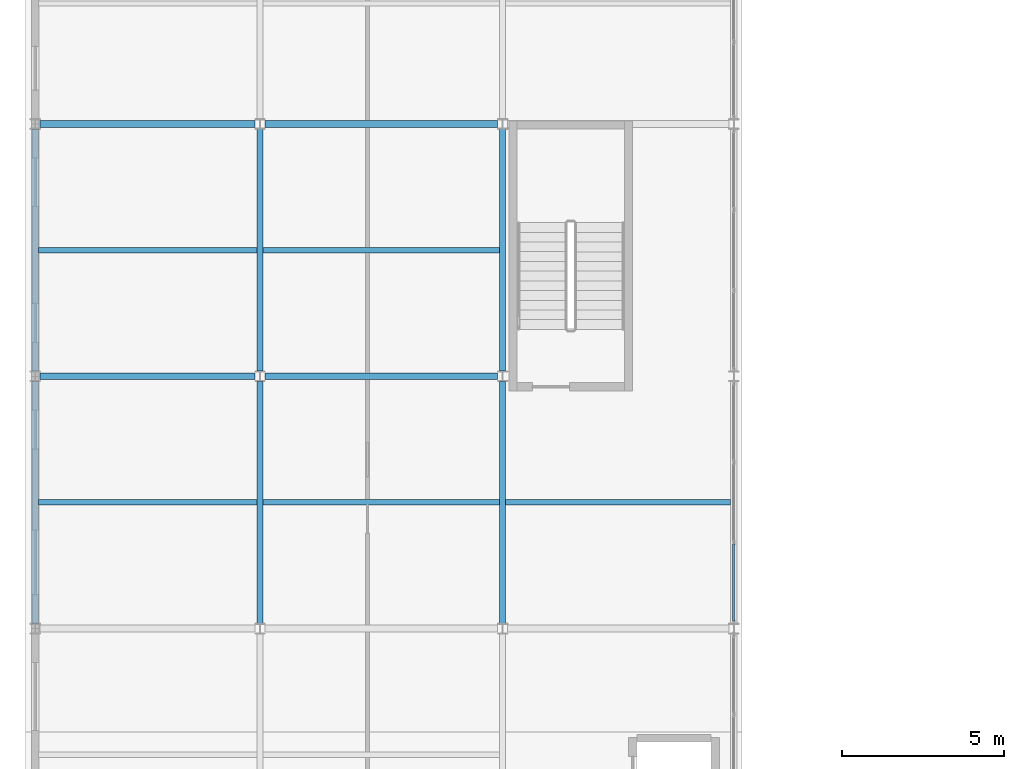
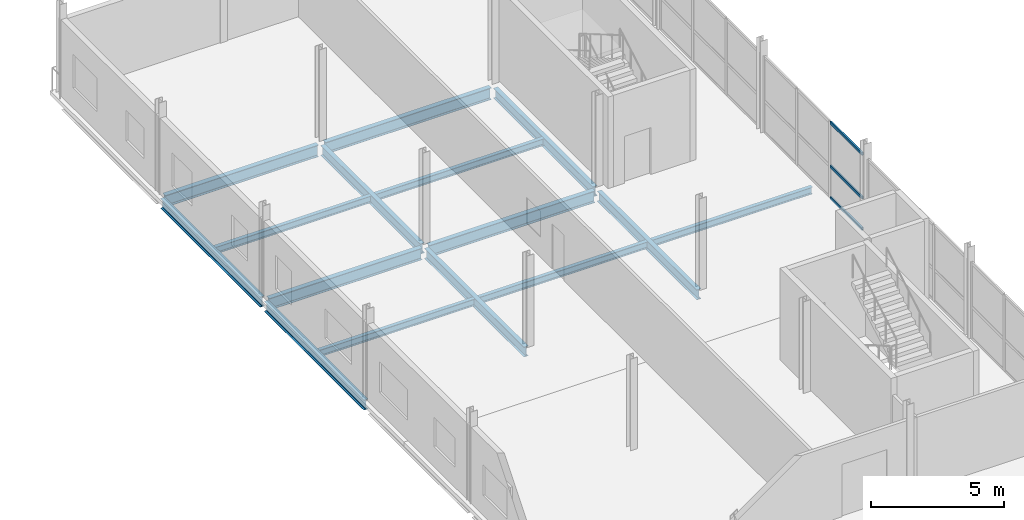
# One storey, part 9 of 65: 15 beams, 3 members, 1 element without a shape of its own.
"""IFC4 building model written with IfcOpenShell, lengths in metres."""

from ifc_helpers import new_model, si_unit, direction, frame, origin, origin_2d, place, context, subcontext, project, spatial, hollow_rectangle, i_section, extrude, material, layer, layer_set, material_profile, profile_set, type_object, element, aggregate, save


model = new_model("IFC4")

# Units and contexts
model_context = context("Model", 3, precision=1e-05, world=origin(), true_north=direction((0.0, 1.0)))
body_context = subcontext(model_context, "Body", "Model", "MODEL_VIEW")
ifc_project = project(units=[si_unit("LENGTHUNIT", "METRE"), si_unit("AREAUNIT", "SQUARE_METRE"), si_unit("VOLUMEUNIT", "CUBIC_METRE"), si_unit("PLANEANGLEUNIT", "RADIAN"), si_unit("MASSUNIT", "GRAM", prefix="KILO")], contexts=[model_context])

# Site, building, storey
site_placement = place(None, origin())
site = spatial("IfcSite", under=ifc_project, at=site_placement, CompositionType="ELEMENT")
building_placement = place(site_placement, origin())
building = spatial("IfcBuilding", under=site, at=building_placement, Name="Quillay Park Conservatory", CompositionType="ELEMENT")
storey_placement = place(building_placement, frame((0.0, 0.0, 14.10009765625)))
storey = spatial("IfcBuildingStorey", under=building, at=storey_placement, Name="L03", CompositionType="ELEMENT", Elevation=14.10009765625)

# Beams
ifc_material_1 = material(Name="Steel ASTM A992 Grade 50", Category="steel")
ifc_material_profile_1 = material_profile(ifc_material_1, i_section(OverallWidth=0.166015625, OverallDepth=0.31298828125, WebThickness=0.006591796875, FlangeThickness=0.01123046875, FilletRadius=0.010009765625, at=origin_2d()), Name="W310x45")
ifc_profile_set_1 = profile_set([ifc_material_profile_1], Name="Steel ASTM A992 Grade 50")
beam_type_1 = type_object("IfcBeamType", Name="COMPOSITE FLOOR JOIST W310 X45", PredefinedType="JOIST", material=ifc_profile_set_1)
beam_1_placement = place(storey_placement, frame((0.64599609375, 35.10009765625, -0.341552734375), z_axis=(1.0, 0.0, 0.0), x_axis=(0.0, 1.0, 0.0)))
element("IfcBeam", 1, at=beam_1_placement, inside=storey, type_object=beam_type_1, Name="L03 beam BM-V3J-1463", PredefinedType="JOIST", context=body_context, shape_type="SweptSolid", body=[
    extrude(i_section(OverallWidth=0.166015625, OverallDepth=0.31298828125, WebThickness=0.006591796875, FlangeThickness=0.01123046875, FilletRadius=0.010009765625, at=origin_2d()), origin(), (0.0, 0.0, 1.0), 6.758056640625),
])
beam_2_placement = place(storey_placement, frame((7.595947265625, 35.10009765625, -0.341552734375), z_axis=(1.0, 0.0, 0.0), x_axis=(0.0, 1.0, 0.0)))
element("IfcBeam", 2, at=beam_2_placement, inside=storey, type_object=beam_type_1, Name="L03 beam BM-V3J-1464", PredefinedType="JOIST", context=body_context, shape_type="SweptSolid", body=[
    extrude(i_section(OverallWidth=0.166015625, OverallDepth=0.31298828125, WebThickness=0.006591796875, FlangeThickness=0.01123046875, FilletRadius=0.010009765625, at=origin_2d()), origin(), (0.0, 0.0, 1.0), 7.30810546875),
])
beam_3_placement = place(storey_placement, frame((15.095947265625, 35.10009765625, -0.341552734375), z_axis=(1.0, 0.0, 0.0), x_axis=(0.0, 1.0, 0.0)))
element("IfcBeam", 3, at=beam_3_placement, inside=storey, type_object=beam_type_1, Name="L03 beam BM-V3J-1465", PredefinedType="JOIST", context=body_context, shape_type="SweptSolid", body=[
    extrude(i_section(OverallWidth=0.166015625, OverallDepth=0.31298828125, WebThickness=0.006591796875, FlangeThickness=0.01123046875, FilletRadius=0.010009765625, at=origin_2d()), origin(), (0.0, 0.0, 1.0), 6.9580078125),
])
beam_4_placement = place(storey_placement, frame((0.64599609375, 42.89990234375, -0.341552734375), z_axis=(1.0, 0.0, 0.0), x_axis=(0.0, 1.0, 0.0)))
element("IfcBeam", 4, at=beam_4_placement, inside=storey, type_object=beam_type_1, Name="L03 beam BM-V3J-1466", PredefinedType="JOIST", context=body_context, shape_type="SweptSolid", body=[
    extrude(i_section(OverallWidth=0.166015625, OverallDepth=0.31298828125, WebThickness=0.006591796875, FlangeThickness=0.01123046875, FilletRadius=0.010009765625, at=origin_2d()), origin(), (0.0, 0.0, 1.0), 6.758056640625),
])
beam_5_placement = place(storey_placement, frame((7.595947265625, 42.89990234375, -0.341552734375), z_axis=(1.0, 0.0, 0.0), x_axis=(0.0, 1.0, 0.0)))
element("IfcBeam", 5, at=beam_5_placement, inside=storey, type_object=beam_type_1, Name="L03 beam BM-V3J-1467", PredefinedType="JOIST", context=body_context, shape_type="SweptSolid", body=[
    extrude(i_section(OverallWidth=0.166015625, OverallDepth=0.31298828125, WebThickness=0.006591796875, FlangeThickness=0.01123046875, FilletRadius=0.010009765625, at=origin_2d()), origin(), (0.0, 0.0, 1.0), 7.30810546875),
])

# Curtain wall, members
ifc_material_2 = material(Name="Thermally Broken Anodised Aluminium 6063-T6", Category="aluminium")
ifc_layer = layer(ifc_material_2, 0.1650390625)
ifc_layer_set = layer_set([ifc_layer], Name="UNITISED CURTAIN WALL PODIUM (Thermally Broken Anodised Aluminium 6063-T6)")
curtain_wall_type = type_object("IfcCurtainWallType", Name="UNITISED CURTAIN WALL PODIUM", PredefinedType="USERDEFINED", material=ifc_layer_set)
curtain_wall_placement = place(storey_placement, origin())
curtain_wall = element("IfcCurtainWall", 6, at=curtain_wall_placement, inside=storey, type_object=curtain_wall_type, Name="L03 Unitised Curtain Wall 212", ObjectType="UNITISED CURTAIN WALL", PredefinedType="USERDEFINED")
ifc_material_3 = material(Name="Thermally Broken Anodised Aluminium 6063-T6", Category="aluminium")
ifc_material_profile_2 = material_profile(ifc_material_3, hollow_rectangle(XDim=0.070068359375, YDim=0.1298828125, WallThickness=0.003173828125, at=origin_2d()), Name="AL70x130x3.2")
ifc_profile_set_2 = profile_set([ifc_material_profile_2], Name="Thermally Broken Anodised Aluminium 6063-T6")
member_type = type_object("IfcMemberType", Name="CURTAIN WALL TRANSOM 70 X130", PredefinedType="USERDEFINED", material=ifc_profile_set_2)
member_1_placement = place(storey_placement, frame((22.14990234375, 33.818359375, 0.034912109375), z_axis=(0.0, -1.0, 0.0), x_axis=(1.0, 0.0, 0.0)))
member_1 = element("IfcMember", 7, at=member_1_placement, type_object=member_type, Name="CW-P1 transom 3.1", ObjectType="TRANSOM", PredefinedType="USERDEFINED", context=body_context, shape_type="SweptSolid", body=[
    extrude(hollow_rectangle(XDim=0.070068359375, YDim=0.1298828125, WallThickness=0.003173828125, at=origin_2d()), origin(), (0.0, 0.0, 1.0), 2.388427734375),
])
member_2_placement = place(storey_placement, frame((22.14990234375, 33.818359375, 1.475830078125), z_axis=(0.0, -1.0, 0.0), x_axis=(1.0, 0.0, 0.0)))
member_2 = element("IfcMember", 8, at=member_2_placement, type_object=member_type, Name="CW-P1 transom 3.2", ObjectType="TRANSOM", PredefinedType="USERDEFINED", context=body_context, shape_type="SweptSolid", body=[
    extrude(hollow_rectangle(XDim=0.070068359375, YDim=0.1298828125, WallThickness=0.003173828125, at=origin_2d()), origin(), (0.0, 0.0, 1.0), 2.388427734375),
])
member_3_placement = place(storey_placement, frame((22.14990234375, 33.818359375, 3.47900390625), z_axis=(0.0, -1.0, 0.0), x_axis=(1.0, 0.0, 0.0)))
member_3 = element("IfcMember", 9, at=member_3_placement, type_object=member_type, Name="CW-P1 transom 3.3", ObjectType="TRANSOM", PredefinedType="USERDEFINED", context=body_context, shape_type="SweptSolid", body=[
    extrude(hollow_rectangle(XDim=0.070068359375, YDim=0.1298828125, WallThickness=0.003173828125, at=origin_2d()), origin(), (0.0, 0.0, 1.0), 2.388427734375),
])
aggregate(curtain_wall, [member_1, member_2, member_3])

# Beams
ifc_material_4 = material(Name="Steel ASTM A992 Grade 50", Category="steel")
ifc_material_profile_3 = material_profile(ifc_material_4, i_section(OverallWidth=0.19189453125, OverallDepth=0.462890625, WebThickness=0.010498046875, FlangeThickness=0.017578125, FilletRadius=0.012939453125, at=origin_2d()), Name="W460x89")
ifc_profile_set_3 = profile_set([ifc_material_profile_3], Name="Steel ASTM A992 Grade 50")
beam_type_2 = type_object("IfcBeamType", Name="PRIMARY FLOOR GIRDER W460 X89", PredefinedType="BEAM", material=ifc_profile_set_3)
for number, where, z_axis, x_axis, name in (
    (10, (0.550048828125, 31.35693359375, -0.41650390625), (0.0, 1.0, 0.0), (-1.0, 0.0, 0.0), "L03 beam BM-V3Y-1427"),
    (11, (0.550048828125, 39.156982421875, -0.41650390625), (0.0, 1.0, 0.0), (-1.0, 0.0, 0.0), "L03 beam BM-V3Y-1428"),
    (12, (7.5, 31.35693359375, -0.41650390625), (0.0, 1.0, 0.0), (-1.0, 0.0, 0.0), "L03 beam BM-V3Y-1434"),
    (13, (7.5, 39.156982421875, -0.41650390625), (0.0, 1.0, 0.0), (-1.0, 0.0, 0.0), "L03 beam BM-V3Y-1435"),
    (14, (15.0, 31.35693359375, -0.41650390625), (0.0, 1.0, 0.0), (-1.0, 0.0, 0.0), "L03 beam BM-V3Y-1441"),
    (15, (15.0, 39.156982421875, -0.41650390625), (0.0, 1.0, 0.0), (-1.0, 0.0, 0.0), "L03 beam BM-V3Y-1442"),
):
    element("IfcBeam", number, at=place(storey_placement, frame(where, z_axis=z_axis, x_axis=x_axis)), inside=storey, type_object=beam_type_2, Name=name, PredefinedType="BEAM", context=body_context, shape_type="SweptSolid", body=[
        extrude(i_section(OverallWidth=0.19189453125, OverallDepth=0.462890625, WebThickness=0.010498046875, FlangeThickness=0.017578125, FilletRadius=0.012939453125, at=origin_2d()), origin(), (0.0, 0.0, 1.0), 7.486083984375),
    ])
ifc_material_5 = material(Name="Steel ASTM A992 Grade 50", Category="steel")
ifc_material_profile_4 = material_profile(ifc_material_5, i_section(OverallWidth=0.2109375, OverallDepth=0.5390625, WebThickness=0.01171875, FlangeThickness=0.018798828125, FilletRadius=0.013916015625, at=origin_2d()), Name="W530x109")
ifc_profile_set_4 = profile_set([ifc_material_profile_4], Name="Steel ASTM A992 Grade 50")
beam_type_3 = type_object("IfcBeamType", Name="PRIMARY FLOOR GIRDER W530 X109", PredefinedType="BEAM", material=ifc_profile_set_4)
beam_6_placement = place(storey_placement, frame((0.70361328125, 39.0, -0.45458984375), z_axis=(1.0, 0.0, 0.0), x_axis=(0.0, 1.0, 0.0)))
element("IfcBeam", 16, at=beam_6_placement, inside=storey, type_object=beam_type_3, Name="L03 beam BM-V3X-1415", PredefinedType="BEAM", context=body_context, shape_type="SweptSolid", body=[
    extrude(i_section(OverallWidth=0.2109375, OverallDepth=0.5390625, WebThickness=0.01171875, FlangeThickness=0.018798828125, FilletRadius=0.013916015625, at=origin_2d()), origin(), (0.0, 0.0, 1.0), 6.642822265625),
])
beam_7_placement = place(storey_placement, frame((7.653564453125, 39.0, -0.45458984375), z_axis=(1.0, 0.0, 0.0), x_axis=(0.0, 1.0, 0.0)))
element("IfcBeam", 17, at=beam_7_placement, inside=storey, type_object=beam_type_3, Name="L03 beam BM-V3X-1416", PredefinedType="BEAM", context=body_context, shape_type="SweptSolid", body=[
    extrude(i_section(OverallWidth=0.2109375, OverallDepth=0.5390625, WebThickness=0.01171875, FlangeThickness=0.018798828125, FilletRadius=0.013916015625, at=origin_2d()), origin(), (0.0, 0.0, 1.0), 7.19287109375),
])
beam_8_placement = place(storey_placement, frame((0.70361328125, 46.800048828125, -0.45458984375), z_axis=(1.0, 0.0, 0.0), x_axis=(0.0, 1.0, 0.0)))
element("IfcBeam", 18, at=beam_8_placement, inside=storey, type_object=beam_type_3, Name="L03 beam BM-V3X-1417", PredefinedType="BEAM", context=body_context, shape_type="SweptSolid", body=[
    extrude(i_section(OverallWidth=0.2109375, OverallDepth=0.5390625, WebThickness=0.01171875, FlangeThickness=0.018798828125, FilletRadius=0.013916015625, at=origin_2d()), origin(), (0.0, 0.0, 1.0), 6.642822265625),
])
beam_9_placement = place(storey_placement, frame((7.653564453125, 46.800048828125, -0.45458984375), z_axis=(1.0, 0.0, 0.0), x_axis=(0.0, 1.0, 0.0)))
element("IfcBeam", 19, at=beam_9_placement, inside=storey, type_object=beam_type_3, Name="L03 beam BM-V3X-1418", PredefinedType="BEAM", context=body_context, shape_type="SweptSolid", body=[
    extrude(i_section(OverallWidth=0.2109375, OverallDepth=0.5390625, WebThickness=0.01171875, FlangeThickness=0.018798828125, FilletRadius=0.013916015625, at=origin_2d()), origin(), (0.0, 0.0, 1.0), 7.19287109375),
])

save(model, "model.ifc")
